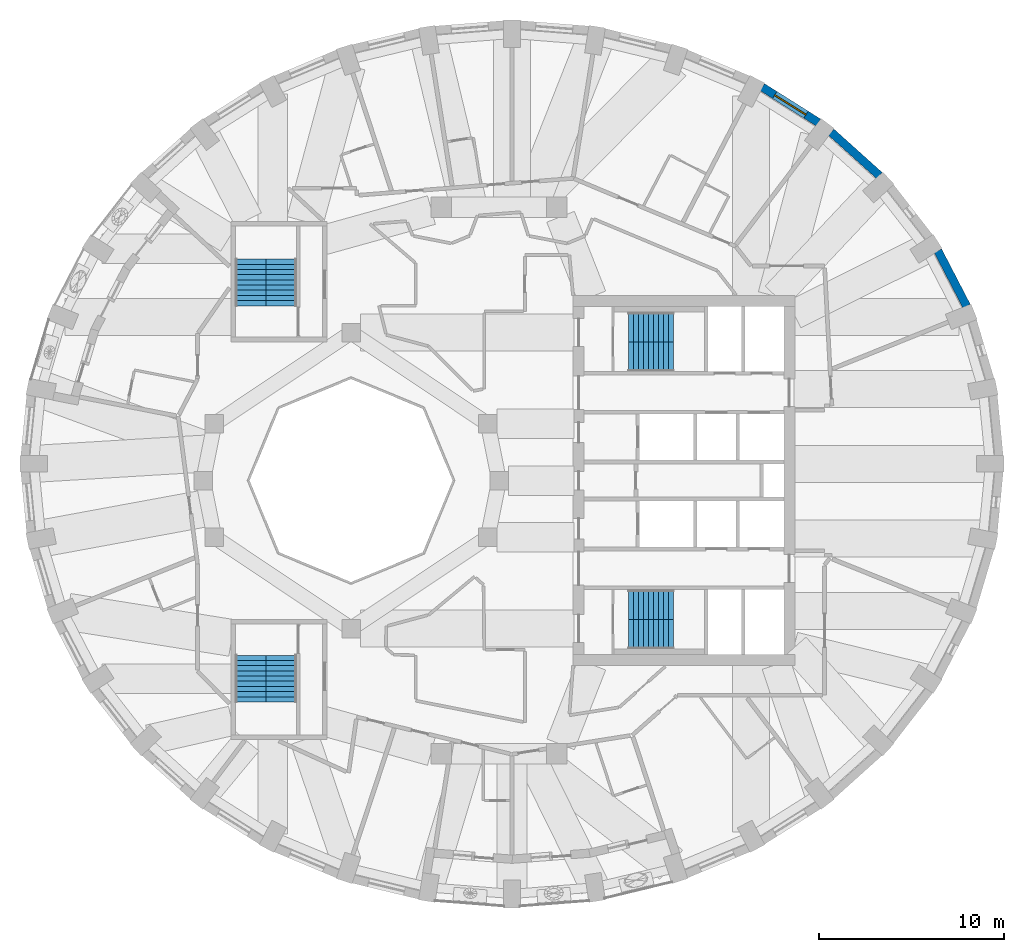
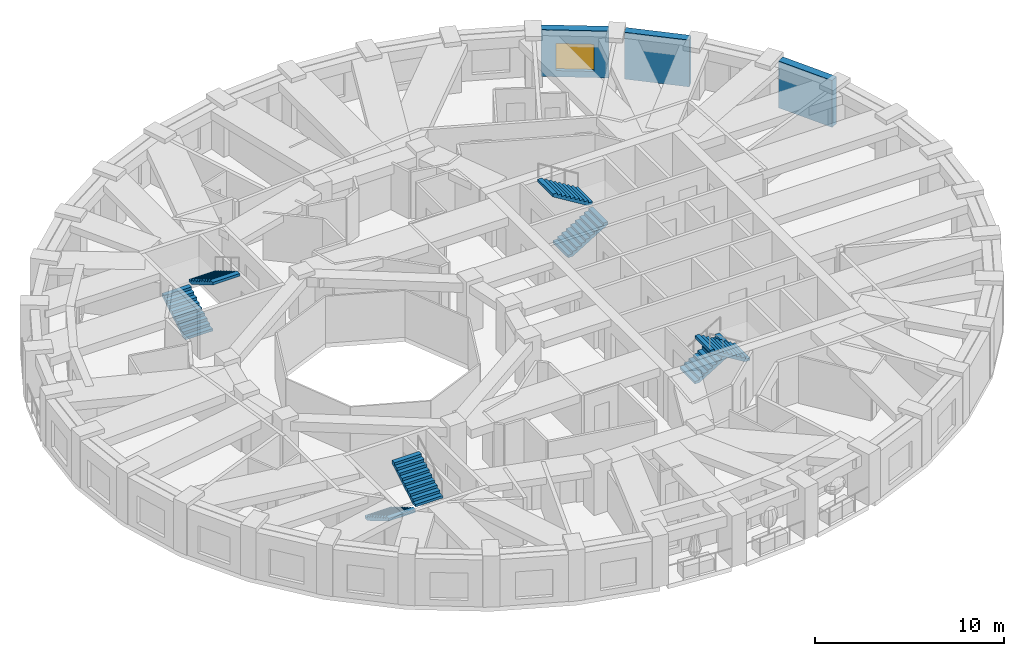
# One storey, part 9 of 12: 8 stair flights, 3 walls, 1 window, 1 opening, 4 elements without a shape of their own.
"""IFC4 building model written with IfcOpenShell, lengths in metres."""

from ifc_helpers import new_model, si_unit, direction, frame, frame_2d, origin, place, context, subcontext, project, spatial, polyline, rectangle, outline, extrude, material, layer, layer_set, type_object, element, fill, aggregate, save


model = new_model("IFC4")

# Units and contexts
model_context = context("Model", 3, precision=1e-05, world=origin(), true_north=direction((0.0, 1.0)))
body_context = subcontext(model_context, "Body", "Model", "MODEL_VIEW")
ifc_project = project(units=[si_unit("LENGTHUNIT", "METRE"), si_unit("AREAUNIT", "SQUARE_METRE"), si_unit("VOLUMEUNIT", "CUBIC_METRE"), si_unit("PLANEANGLEUNIT", "RADIAN"), si_unit("MASSUNIT", "GRAM", prefix="KILO")], contexts=[model_context])

# Site, building, storey
site_placement = place(None, origin())
site = spatial("IfcSite", under=ifc_project, at=site_placement, CompositionType="ELEMENT")
building_placement = place(site_placement, origin())
building = spatial("IfcBuilding", under=site, at=building_placement, Name="Taillehof Tower", CompositionType="ELEMENT")
storey_placement = place(building_placement, frame((0.0, 0.0, 199.10009765625)))
storey = spatial("IfcBuildingStorey", under=building, at=storey_placement, Name="L56", CompositionType="ELEMENT", Elevation=199.10009765625)

# Walls
ifc_material_1 = material(Name="Brick masonry", Category="masonry")
ifc_layer = layer(ifc_material_1, 0.449951171875)
ifc_layer_set = layer_set([ifc_layer], Name="Brick infill wall 450")
wall_type = type_object("IfcWallType", Name="Brick infill wall 450", PredefinedType="SOLIDWALL", material=ifc_layer_set)
wall_1_placement = place(storey_placement, frame((25.278076171875, 9.431640625, 0.0), z_axis=(0.0, 0.0, 1.0), x_axis=(-0.460175500475, 0.887827972505, 0.0)))
element("IfcWall", 1, at=wall_1_placement, inside=storey, type_object=wall_type, Name="Brick wall L56 bay 3", PredefinedType="SOLIDWALL", context=body_context, shape_type="SweptSolid", body=[
    extrude(rectangle(XDim=3.37060546875, YDim=0.449951171875, at=frame_2d((1.685302734375, 0.0))), origin(), (0.0, 0.0, 1.0), 3.02001953125),
])
wall_2_placement = place(storey_placement, frame((20.56494140625, 16.490478515625, 0.0), z_axis=(0.0, 0.0, 1.0), x_axis=(-0.743442727602, 0.668799604348, 0.0)))
element("IfcWall", 2, at=wall_2_placement, inside=storey, type_object=wall_type, Name="Brick wall L56 bay 5", PredefinedType="SOLIDWALL", context=body_context, shape_type="SweptSolid", body=[
    extrude(rectangle(XDim=3.5126953125, YDim=0.449951171875, at=frame_2d((1.75634765625, 0.0))), origin(), (0.0, 0.0, 1.0), 3.02001953125),
])

# Wall, opening, window
wall_3_placement = place(storey_placement, frame((17.26708984375, 19.3583984375, 0.0), z_axis=(0.0, 0.0, 1.0), x_axis=(-0.846119146727, 0.532993798783, 0.0)))
wall_3 = element("IfcWall", 3, at=wall_3_placement, inside=storey, type_object=wall_type, Name="Brick wall L56 bay 6", PredefinedType="SOLIDWALL", context=body_context, shape_type="SweptSolid", body=[
    extrude(rectangle(XDim=3.586669921875, YDim=0.449951171875, at=frame_2d((1.79345703125, 0.0))), origin(), (0.0, 0.0, 1.0), 3.02001953125),
])
opening_placement = place(wall_3_placement, frame((0.79345703125, 0.0, 0.39990234375)))
opening = element("IfcOpeningElement", 4, at=opening_placement, cuts=wall_3, Name="Opening W2", PredefinedType="OPENING", context=body_context, shape_type="SweptSolid", body=[
    extrude(rectangle(XDim=2.0, YDim=1.75, at=frame_2d((1.0, 0.875))), frame((0.0, 0.23486328125, 0.0), z_axis=(0.0, -1.0, 0.0), x_axis=(1.0, 0.0, 0.0)), (0.0, 0.0, 1.0), 0.469970703125),
])
ifc_material_2 = material(Name="Aluminium window frame with clear double glazing", Category="aluminium")
window_type = type_object("IfcWindowType", Name="Deep-set window 2000x1750", PartitioningType="SINGLE_PANEL", PredefinedType="WINDOW", material=ifc_material_2)
window_placement = place(opening_placement, origin())
window = element("IfcWindow", 5, at=window_placement, inside=storey, type_object=window_type, Name="W2", OverallHeight=1.75, OverallWidth=2.0, PartitioningType="SINGLE_PANEL", PredefinedType="WINDOW", context=body_context, shape_type="SweptSolid", body=[
    extrude(rectangle(XDim=2.0, YDim=1.75, at=frame_2d((1.0, 0.875))), frame((0.0, 0.034912109375, 0.0), z_axis=(0.0, -1.0, 0.0), x_axis=(1.0, 0.0, 0.0)), (0.0, 0.0, 1.0), 0.06005859375),
])
fill(opening, window)

# Stair, stair flights
ifc_material_3 = material(Name="Concrete C40/50", Category="concrete")
stair_type = type_object("IfcStairType", Name="Exit stair half-turn", PredefinedType="HALF_TURN_STAIR", material=ifc_material_3)
stair_1_placement = place(storey_placement, origin())
stair_1 = element("IfcStair", 6, at=stair_1_placement, inside=storey, type_object=stair_type, Name="Exit stair S1", PredefinedType="HALF_TURN_STAIR")
ifc_material_4 = material(Name="Concrete C40/50", Category="concrete")
stair_flight_type_1 = type_object("IfcStairFlightType", Name="Stair flight 1600 riser 165.0 going 270", PredefinedType="STRAIGHT", material=ifc_material_4)
stair_flight_1_placement = place(storey_placement, frame((7.0, 6.699951171875, 0.0), z_axis=(0.0, 0.0, 1.0), x_axis=(1.0, 0.0, 0.0)))
stair_flight_1 = element("IfcStairFlight", 7, at=stair_flight_1_placement, type_object=stair_flight_type_1, Name="S1 flight 1", NumberOfRisers=10, NumberOfTreads=9, PredefinedType="STRAIGHT", RiserHeight=0.165, TreadLength=0.27, context=body_context, shape_type="SweptSolid", body=[
    extrude(outline(polyline([(0.0, 0.0), (0.0, 0.00537109375), (0.0, 0.0107421875), (0.0, 0.015869140625), (0.0, 0.021240234375), (0.0, 0.026611328125), (0.0, 0.031982421875), (0.0, 0.037353515625), (0.0, 0.04248046875), (0.0, 0.0478515625), (0.0, 0.05322265625), (0.0, 0.05859375), (0.0, 0.06396484375), (0.0, 0.069091796875), (0.0, 0.074462890625), (0.0, 0.079833984375), (0.0, 0.085205078125), (0.0, 0.090576171875), (0.0, 0.095703125), (0.0, 0.10107421875), (0.0, 0.1064453125), (0.0, 0.11181640625), (0.0, 0.1171875), (0.0, 0.122314453125), (0.0, 0.127685546875), (0.0, 0.133056640625), (0.0, 0.138427734375), (0.0, 0.143798828125), (0.0, 0.14892578125), (0.0, 0.154296875), (0.0, 0.15966796875), (0.0, 0.1650390625), (0.27001953125, 0.1650390625), (0.27001953125, 0.330078125), (0.5400390625, 0.330078125), (0.5400390625, 0.4951171875), (0.81005859375, 0.4951171875), (0.81005859375, 0.659912109375), (1.080078125, 0.659912109375), (1.080078125, 0.824951171875), (1.35009765625, 0.824951171875), (1.35009765625, 0.989990234375), (1.6201171875, 0.989990234375), (1.6201171875, 1.155029296875), (1.889892578125, 1.155029296875), (1.889892578125, 1.320068359375), (2.159912109375, 1.320068359375), (2.159912109375, 1.485107421875), (2.429931640625, 1.485107421875), (2.429931640625, 1.479248046875), (2.429931640625, 1.4736328125), (2.429931640625, 1.468017578125), (2.429931640625, 1.46240234375), (2.429931640625, 1.45654296875), (2.429931640625, 1.450927734375), (2.429931640625, 1.4453125), (2.429931640625, 1.439697265625), (2.429931640625, 1.43408203125), (2.429931640625, 1.42822265625), (2.429931640625, 1.422607421875), (2.429931640625, 1.4169921875), (2.429931640625, 1.411376953125), (2.429931640625, 1.40576171875), (2.429931640625, 1.39990234375), (2.429931640625, 1.394287109375), (2.429931640625, 1.388671875), (2.429931640625, 1.383056640625), (2.429931640625, 1.37744140625), (2.429931640625, 1.37158203125), (2.429931640625, 1.365966796875), (2.429931640625, 1.3603515625), (2.429931640625, 1.354736328125), (2.429931640625, 1.348876953125), (2.429931640625, 1.34326171875), (2.429931640625, 1.337646484375), (2.429931640625, 1.33203125), (2.429931640625, 1.326416015625), (2.429931640625, 1.320556640625), (2.429931640625, 1.31494140625), (2.429931640625, 1.309326171875), (0.287353515625, 0.0), (0.0, 0.0)])), frame((0.0, 0.800048828125, 0.0), z_axis=(0.0, -1.0, 0.0), x_axis=(1.0, 0.0, 0.0)), (0.0, 0.0, 1.0), 1.6),
])
stair_flight_2_placement = place(storey_placement, frame((9.429931640625, 8.300048828125, 1.64990234375), z_axis=(0.0, 0.0, 1.0), x_axis=(-1.0, 0.0, 0.0)))
stair_flight_2 = element("IfcStairFlight", 8, at=stair_flight_2_placement, type_object=stair_flight_type_1, Name="S1 flight 2", NumberOfRisers=10, NumberOfTreads=9, PredefinedType="STRAIGHT", RiserHeight=0.165, TreadLength=0.27, context=body_context, shape_type="SweptSolid", body=[
    extrude(outline(polyline([(0.0, 0.0), (0.0, 0.00537109375), (0.0, 0.0107421875), (0.0, 0.015869140625), (0.0, 0.021240234375), (0.0, 0.026611328125), (0.0, 0.031982421875), (0.0, 0.037353515625), (0.0, 0.04248046875), (0.0, 0.0478515625), (0.0, 0.05322265625), (0.0, 0.05859375), (0.0, 0.06396484375), (0.0, 0.069091796875), (0.0, 0.074462890625), (0.0, 0.079833984375), (0.0, 0.085205078125), (0.0, 0.090576171875), (0.0, 0.095703125), (0.0, 0.10107421875), (0.0, 0.1064453125), (0.0, 0.11181640625), (0.0, 0.1171875), (0.0, 0.122314453125), (0.0, 0.127685546875), (0.0, 0.133056640625), (0.0, 0.138427734375), (0.0, 0.143798828125), (0.0, 0.14892578125), (0.0, 0.154296875), (0.0, 0.15966796875), (0.0, 0.1650390625), (0.27001953125, 0.1650390625), (0.27001953125, 0.330078125), (0.5400390625, 0.330078125), (0.5400390625, 0.4951171875), (0.81005859375, 0.4951171875), (0.81005859375, 0.659912109375), (1.080078125, 0.659912109375), (1.080078125, 0.824951171875), (1.35009765625, 0.824951171875), (1.35009765625, 0.989990234375), (1.6201171875, 0.989990234375), (1.6201171875, 1.155029296875), (1.889892578125, 1.155029296875), (1.889892578125, 1.320068359375), (2.159912109375, 1.320068359375), (2.159912109375, 1.485107421875), (2.429931640625, 1.485107421875), (2.429931640625, 1.479248046875), (2.429931640625, 1.4736328125), (2.429931640625, 1.468017578125), (2.429931640625, 1.46240234375), (2.429931640625, 1.45654296875), (2.429931640625, 1.450927734375), (2.429931640625, 1.4453125), (2.429931640625, 1.439697265625), (2.429931640625, 1.43408203125), (2.429931640625, 1.42822265625), (2.429931640625, 1.422607421875), (2.429931640625, 1.4169921875), (2.429931640625, 1.411376953125), (2.429931640625, 1.40576171875), (2.429931640625, 1.39990234375), (2.429931640625, 1.394287109375), (2.429931640625, 1.388671875), (2.429931640625, 1.383056640625), (2.429931640625, 1.37744140625), (2.429931640625, 1.37158203125), (2.429931640625, 1.365966796875), (2.429931640625, 1.3603515625), (2.429931640625, 1.354736328125), (2.429931640625, 1.348876953125), (2.429931640625, 1.34326171875), (2.429931640625, 1.337646484375), (2.429931640625, 1.33203125), (2.429931640625, 1.326416015625), (2.429931640625, 1.320556640625), (2.429931640625, 1.31494140625), (2.429931640625, 1.309326171875), (0.287353515625, 0.0), (0.0, 0.0)])), frame((0.0, 0.800048828125, 0.0), z_axis=(0.0, -1.0, 0.0), x_axis=(1.0, 0.0, 0.0)), (0.0, 0.0, 1.0), 1.6),
])
aggregate(stair_1, [stair_flight_1, stair_flight_2])

stair_2_placement = place(storey_placement, origin())
stair_2 = element("IfcStair", 9, at=stair_2_placement, inside=storey, type_object=stair_type, Name="Exit stair S2", PredefinedType="HALF_TURN_STAIR")
stair_flight_3_placement = place(storey_placement, frame((7.0, -6.699951171875, 0.0), z_axis=(0.0, 0.0, 1.0), x_axis=(1.0, 0.0, 0.0)))
stair_flight_3 = element("IfcStairFlight", 10, at=stair_flight_3_placement, type_object=stair_flight_type_1, Name="S2 flight 1", NumberOfRisers=10, NumberOfTreads=9, PredefinedType="STRAIGHT", RiserHeight=0.165, TreadLength=0.27, context=body_context, shape_type="SweptSolid", body=[
    extrude(outline(polyline([(0.0, 0.0), (0.0, 0.00537109375), (0.0, 0.0107421875), (0.0, 0.015869140625), (0.0, 0.021240234375), (0.0, 0.026611328125), (0.0, 0.031982421875), (0.0, 0.037353515625), (0.0, 0.04248046875), (0.0, 0.0478515625), (0.0, 0.05322265625), (0.0, 0.05859375), (0.0, 0.06396484375), (0.0, 0.069091796875), (0.0, 0.074462890625), (0.0, 0.079833984375), (0.0, 0.085205078125), (0.0, 0.090576171875), (0.0, 0.095703125), (0.0, 0.10107421875), (0.0, 0.1064453125), (0.0, 0.11181640625), (0.0, 0.1171875), (0.0, 0.122314453125), (0.0, 0.127685546875), (0.0, 0.133056640625), (0.0, 0.138427734375), (0.0, 0.143798828125), (0.0, 0.14892578125), (0.0, 0.154296875), (0.0, 0.15966796875), (0.0, 0.1650390625), (0.27001953125, 0.1650390625), (0.27001953125, 0.330078125), (0.5400390625, 0.330078125), (0.5400390625, 0.4951171875), (0.81005859375, 0.4951171875), (0.81005859375, 0.659912109375), (1.080078125, 0.659912109375), (1.080078125, 0.824951171875), (1.35009765625, 0.824951171875), (1.35009765625, 0.989990234375), (1.6201171875, 0.989990234375), (1.6201171875, 1.155029296875), (1.889892578125, 1.155029296875), (1.889892578125, 1.320068359375), (2.159912109375, 1.320068359375), (2.159912109375, 1.485107421875), (2.429931640625, 1.485107421875), (2.429931640625, 1.479248046875), (2.429931640625, 1.4736328125), (2.429931640625, 1.468017578125), (2.429931640625, 1.46240234375), (2.429931640625, 1.45654296875), (2.429931640625, 1.450927734375), (2.429931640625, 1.4453125), (2.429931640625, 1.439697265625), (2.429931640625, 1.43408203125), (2.429931640625, 1.42822265625), (2.429931640625, 1.422607421875), (2.429931640625, 1.4169921875), (2.429931640625, 1.411376953125), (2.429931640625, 1.40576171875), (2.429931640625, 1.39990234375), (2.429931640625, 1.394287109375), (2.429931640625, 1.388671875), (2.429931640625, 1.383056640625), (2.429931640625, 1.37744140625), (2.429931640625, 1.37158203125), (2.429931640625, 1.365966796875), (2.429931640625, 1.3603515625), (2.429931640625, 1.354736328125), (2.429931640625, 1.348876953125), (2.429931640625, 1.34326171875), (2.429931640625, 1.337646484375), (2.429931640625, 1.33203125), (2.429931640625, 1.326416015625), (2.429931640625, 1.320556640625), (2.429931640625, 1.31494140625), (2.429931640625, 1.309326171875), (0.287353515625, 0.0), (0.0, 0.0)])), frame((0.0, 0.800048828125, 0.0), z_axis=(0.0, -1.0, 0.0), x_axis=(1.0, 0.0, 0.0)), (0.0, 0.0, 1.0), 1.6),
])
stair_flight_4_placement = place(storey_placement, frame((9.429931640625, -8.300048828125, 1.64990234375), z_axis=(0.0, 0.0, 1.0), x_axis=(-1.0, 0.0, 0.0)))
stair_flight_4 = element("IfcStairFlight", 11, at=stair_flight_4_placement, type_object=stair_flight_type_1, Name="S2 flight 2", NumberOfRisers=10, NumberOfTreads=9, PredefinedType="STRAIGHT", RiserHeight=0.165, TreadLength=0.27, context=body_context, shape_type="SweptSolid", body=[
    extrude(outline(polyline([(0.0, 0.0), (0.0, 0.00537109375), (0.0, 0.0107421875), (0.0, 0.015869140625), (0.0, 0.021240234375), (0.0, 0.026611328125), (0.0, 0.031982421875), (0.0, 0.037353515625), (0.0, 0.04248046875), (0.0, 0.0478515625), (0.0, 0.05322265625), (0.0, 0.05859375), (0.0, 0.06396484375), (0.0, 0.069091796875), (0.0, 0.074462890625), (0.0, 0.079833984375), (0.0, 0.085205078125), (0.0, 0.090576171875), (0.0, 0.095703125), (0.0, 0.10107421875), (0.0, 0.1064453125), (0.0, 0.11181640625), (0.0, 0.1171875), (0.0, 0.122314453125), (0.0, 0.127685546875), (0.0, 0.133056640625), (0.0, 0.138427734375), (0.0, 0.143798828125), (0.0, 0.14892578125), (0.0, 0.154296875), (0.0, 0.15966796875), (0.0, 0.1650390625), (0.27001953125, 0.1650390625), (0.27001953125, 0.330078125), (0.5400390625, 0.330078125), (0.5400390625, 0.4951171875), (0.81005859375, 0.4951171875), (0.81005859375, 0.659912109375), (1.080078125, 0.659912109375), (1.080078125, 0.824951171875), (1.35009765625, 0.824951171875), (1.35009765625, 0.989990234375), (1.6201171875, 0.989990234375), (1.6201171875, 1.155029296875), (1.889892578125, 1.155029296875), (1.889892578125, 1.320068359375), (2.159912109375, 1.320068359375), (2.159912109375, 1.485107421875), (2.429931640625, 1.485107421875), (2.429931640625, 1.479248046875), (2.429931640625, 1.4736328125), (2.429931640625, 1.468017578125), (2.429931640625, 1.46240234375), (2.429931640625, 1.45654296875), (2.429931640625, 1.450927734375), (2.429931640625, 1.4453125), (2.429931640625, 1.439697265625), (2.429931640625, 1.43408203125), (2.429931640625, 1.42822265625), (2.429931640625, 1.422607421875), (2.429931640625, 1.4169921875), (2.429931640625, 1.411376953125), (2.429931640625, 1.40576171875), (2.429931640625, 1.39990234375), (2.429931640625, 1.394287109375), (2.429931640625, 1.388671875), (2.429931640625, 1.383056640625), (2.429931640625, 1.37744140625), (2.429931640625, 1.37158203125), (2.429931640625, 1.365966796875), (2.429931640625, 1.3603515625), (2.429931640625, 1.354736328125), (2.429931640625, 1.348876953125), (2.429931640625, 1.34326171875), (2.429931640625, 1.337646484375), (2.429931640625, 1.33203125), (2.429931640625, 1.326416015625), (2.429931640625, 1.320556640625), (2.429931640625, 1.31494140625), (2.429931640625, 1.309326171875), (0.287353515625, 0.0), (0.0, 0.0)])), frame((0.0, 0.800048828125, 0.0), z_axis=(0.0, -1.0, 0.0), x_axis=(1.0, 0.0, 0.0)), (0.0, 0.0, 1.0), 1.6),
])
aggregate(stair_2, [stair_flight_3, stair_flight_4])

stair_3_placement = place(storey_placement, origin())
stair_3 = element("IfcStair", 12, at=stair_3_placement, inside=storey, type_object=stair_type, Name="Exit stair S3", PredefinedType="HALF_TURN_STAIR")
ifc_material_5 = material(Name="Concrete C40/50", Category="concrete")
stair_flight_type_2 = type_object("IfcStairFlightType", Name="Stair flight 1650 riser 165.0 going 280", PredefinedType="STRAIGHT", material=ifc_material_5)
stair_flight_5_placement = place(storey_placement, frame((-13.425048828125, 9.449951171875, 0.0), z_axis=(0.0, 0.0, 1.0), x_axis=(0.0, 1.0, 0.0)))
stair_flight_5 = element("IfcStairFlight", 13, at=stair_flight_5_placement, type_object=stair_flight_type_2, Name="S3 flight 1", NumberOfRisers=10, NumberOfTreads=9, PredefinedType="STRAIGHT", RiserHeight=0.165, TreadLength=0.28, context=body_context, shape_type="SweptSolid", body=[
    extrude(outline(polyline([(0.0, 0.0), (0.0, 0.00537109375), (0.0, 0.0107421875), (0.0, 0.015869140625), (0.0, 0.021240234375), (0.0, 0.026611328125), (0.0, 0.031982421875), (0.0, 0.037353515625), (0.0, 0.04248046875), (0.0, 0.0478515625), (0.0, 0.05322265625), (0.0, 0.05859375), (0.0, 0.06396484375), (0.0, 0.069091796875), (0.0, 0.074462890625), (0.0, 0.079833984375), (0.0, 0.085205078125), (0.0, 0.090576171875), (0.0, 0.095703125), (0.0, 0.10107421875), (0.0, 0.1064453125), (0.0, 0.11181640625), (0.0, 0.1171875), (0.0, 0.122314453125), (0.0, 0.127685546875), (0.0, 0.133056640625), (0.0, 0.138427734375), (0.0, 0.143798828125), (0.0, 0.14892578125), (0.0, 0.154296875), (0.0, 0.15966796875), (0.0, 0.1650390625), (0.280029296875, 0.1650390625), (0.280029296875, 0.330078125), (0.56005859375, 0.330078125), (0.56005859375, 0.4951171875), (0.840087890625, 0.4951171875), (0.840087890625, 0.659912109375), (1.1201171875, 0.659912109375), (1.1201171875, 0.824951171875), (1.39990234375, 0.824951171875), (1.39990234375, 0.989990234375), (1.679931640625, 0.989990234375), (1.679931640625, 1.155029296875), (1.9599609375, 1.155029296875), (1.9599609375, 1.320068359375), (2.239990234375, 1.320068359375), (2.239990234375, 1.485107421875), (2.52001953125, 1.485107421875), (2.52001953125, 1.4794921875), (2.52001953125, 1.473876953125), (2.52001953125, 1.46826171875), (2.52001953125, 1.462646484375), (2.52001953125, 1.45703125), (2.52001953125, 1.451416015625), (2.52001953125, 1.44580078125), (2.52001953125, 1.440185546875), (2.52001953125, 1.4345703125), (2.52001953125, 1.428955078125), (2.52001953125, 1.42333984375), (2.52001953125, 1.417724609375), (2.52001953125, 1.412109375), (2.52001953125, 1.406494140625), (2.52001953125, 1.40087890625), (2.52001953125, 1.395263671875), (2.52001953125, 1.3896484375), (2.52001953125, 1.384033203125), (2.52001953125, 1.37841796875), (2.52001953125, 1.372802734375), (2.52001953125, 1.3671875), (2.52001953125, 1.361572265625), (2.52001953125, 1.35595703125), (2.52001953125, 1.350341796875), (2.52001953125, 1.3447265625), (2.52001953125, 1.339111328125), (2.52001953125, 1.33349609375), (2.52001953125, 1.327880859375), (2.52001953125, 1.322265625), (2.52001953125, 1.316650390625), (2.52001953125, 1.31103515625), (0.295166015625, 0.0), (0.0, 0.0)])), frame((0.0, 0.824951171875, 0.0), z_axis=(0.0, -1.0, 0.0), x_axis=(1.0, 0.0, 0.0)), (0.0, 0.0, 1.0), 1.65),
])
stair_flight_6_placement = place(storey_placement, frame((-11.77490234375, 11.969970703125, 1.64990234375), z_axis=(0.0, 0.0, 1.0), x_axis=(0.0, -1.0, 0.0)))
stair_flight_6 = element("IfcStairFlight", 14, at=stair_flight_6_placement, type_object=stair_flight_type_2, Name="S3 flight 2", NumberOfRisers=10, NumberOfTreads=9, PredefinedType="STRAIGHT", RiserHeight=0.165, TreadLength=0.28, context=body_context, shape_type="SweptSolid", body=[
    extrude(outline(polyline([(0.0, 0.0), (0.0, 0.00537109375), (0.0, 0.0107421875), (0.0, 0.015869140625), (0.0, 0.021240234375), (0.0, 0.026611328125), (0.0, 0.031982421875), (0.0, 0.037353515625), (0.0, 0.04248046875), (0.0, 0.0478515625), (0.0, 0.05322265625), (0.0, 0.05859375), (0.0, 0.06396484375), (0.0, 0.069091796875), (0.0, 0.074462890625), (0.0, 0.079833984375), (0.0, 0.085205078125), (0.0, 0.090576171875), (0.0, 0.095703125), (0.0, 0.10107421875), (0.0, 0.1064453125), (0.0, 0.11181640625), (0.0, 0.1171875), (0.0, 0.122314453125), (0.0, 0.127685546875), (0.0, 0.133056640625), (0.0, 0.138427734375), (0.0, 0.143798828125), (0.0, 0.14892578125), (0.0, 0.154296875), (0.0, 0.15966796875), (0.0, 0.1650390625), (0.280029296875, 0.1650390625), (0.280029296875, 0.330078125), (0.56005859375, 0.330078125), (0.56005859375, 0.4951171875), (0.840087890625, 0.4951171875), (0.840087890625, 0.659912109375), (1.1201171875, 0.659912109375), (1.1201171875, 0.824951171875), (1.39990234375, 0.824951171875), (1.39990234375, 0.989990234375), (1.679931640625, 0.989990234375), (1.679931640625, 1.155029296875), (1.9599609375, 1.155029296875), (1.9599609375, 1.320068359375), (2.239990234375, 1.320068359375), (2.239990234375, 1.485107421875), (2.52001953125, 1.485107421875), (2.52001953125, 1.4794921875), (2.52001953125, 1.473876953125), (2.52001953125, 1.46826171875), (2.52001953125, 1.462646484375), (2.52001953125, 1.45703125), (2.52001953125, 1.451416015625), (2.52001953125, 1.44580078125), (2.52001953125, 1.440185546875), (2.52001953125, 1.4345703125), (2.52001953125, 1.428955078125), (2.52001953125, 1.42333984375), (2.52001953125, 1.417724609375), (2.52001953125, 1.412109375), (2.52001953125, 1.406494140625), (2.52001953125, 1.40087890625), (2.52001953125, 1.395263671875), (2.52001953125, 1.3896484375), (2.52001953125, 1.384033203125), (2.52001953125, 1.37841796875), (2.52001953125, 1.372802734375), (2.52001953125, 1.3671875), (2.52001953125, 1.361572265625), (2.52001953125, 1.35595703125), (2.52001953125, 1.350341796875), (2.52001953125, 1.3447265625), (2.52001953125, 1.339111328125), (2.52001953125, 1.33349609375), (2.52001953125, 1.327880859375), (2.52001953125, 1.322265625), (2.52001953125, 1.316650390625), (2.52001953125, 1.31103515625), (0.295166015625, 0.0), (0.0, 0.0)])), frame((0.0, 0.824951171875, 0.0), z_axis=(0.0, -1.0, 0.0), x_axis=(1.0, 0.0, 0.0)), (0.0, 0.0, 1.0), 1.65),
])
aggregate(stair_3, [stair_flight_5, stair_flight_6])

stair_4_placement = place(storey_placement, origin())
stair_4 = element("IfcStair", 15, at=stair_4_placement, inside=storey, type_object=stair_type, Name="Exit stair S4", PredefinedType="HALF_TURN_STAIR")
stair_flight_7_placement = place(storey_placement, frame((-13.425048828125, -9.449951171875, 0.0), z_axis=(0.0, 0.0, 1.0), x_axis=(0.0, -1.0, 0.0)))
stair_flight_7 = element("IfcStairFlight", 16, at=stair_flight_7_placement, type_object=stair_flight_type_2, Name="S4 flight 1", NumberOfRisers=10, NumberOfTreads=9, PredefinedType="STRAIGHT", RiserHeight=0.165, TreadLength=0.28, context=body_context, shape_type="SweptSolid", body=[
    extrude(outline(polyline([(0.0, 0.0), (0.0, 0.00537109375), (0.0, 0.0107421875), (0.0, 0.015869140625), (0.0, 0.021240234375), (0.0, 0.026611328125), (0.0, 0.031982421875), (0.0, 0.037353515625), (0.0, 0.04248046875), (0.0, 0.0478515625), (0.0, 0.05322265625), (0.0, 0.05859375), (0.0, 0.06396484375), (0.0, 0.069091796875), (0.0, 0.074462890625), (0.0, 0.079833984375), (0.0, 0.085205078125), (0.0, 0.090576171875), (0.0, 0.095703125), (0.0, 0.10107421875), (0.0, 0.1064453125), (0.0, 0.11181640625), (0.0, 0.1171875), (0.0, 0.122314453125), (0.0, 0.127685546875), (0.0, 0.133056640625), (0.0, 0.138427734375), (0.0, 0.143798828125), (0.0, 0.14892578125), (0.0, 0.154296875), (0.0, 0.15966796875), (0.0, 0.1650390625), (0.280029296875, 0.1650390625), (0.280029296875, 0.330078125), (0.56005859375, 0.330078125), (0.56005859375, 0.4951171875), (0.840087890625, 0.4951171875), (0.840087890625, 0.659912109375), (1.1201171875, 0.659912109375), (1.1201171875, 0.824951171875), (1.39990234375, 0.824951171875), (1.39990234375, 0.989990234375), (1.679931640625, 0.989990234375), (1.679931640625, 1.155029296875), (1.9599609375, 1.155029296875), (1.9599609375, 1.320068359375), (2.239990234375, 1.320068359375), (2.239990234375, 1.485107421875), (2.52001953125, 1.485107421875), (2.52001953125, 1.4794921875), (2.52001953125, 1.473876953125), (2.52001953125, 1.46826171875), (2.52001953125, 1.462646484375), (2.52001953125, 1.45703125), (2.52001953125, 1.451416015625), (2.52001953125, 1.44580078125), (2.52001953125, 1.440185546875), (2.52001953125, 1.4345703125), (2.52001953125, 1.428955078125), (2.52001953125, 1.42333984375), (2.52001953125, 1.417724609375), (2.52001953125, 1.412109375), (2.52001953125, 1.406494140625), (2.52001953125, 1.40087890625), (2.52001953125, 1.395263671875), (2.52001953125, 1.3896484375), (2.52001953125, 1.384033203125), (2.52001953125, 1.37841796875), (2.52001953125, 1.372802734375), (2.52001953125, 1.3671875), (2.52001953125, 1.361572265625), (2.52001953125, 1.35595703125), (2.52001953125, 1.350341796875), (2.52001953125, 1.3447265625), (2.52001953125, 1.339111328125), (2.52001953125, 1.33349609375), (2.52001953125, 1.327880859375), (2.52001953125, 1.322265625), (2.52001953125, 1.316650390625), (2.52001953125, 1.31103515625), (0.295166015625, 0.0), (0.0, 0.0)])), frame((0.0, 0.824951171875, 0.0), z_axis=(0.0, -1.0, 0.0), x_axis=(1.0, 0.0, 0.0)), (0.0, 0.0, 1.0), 1.65),
])
stair_flight_8_placement = place(storey_placement, frame((-11.77490234375, -11.969970703125, 1.64990234375), z_axis=(0.0, 0.0, 1.0), x_axis=(0.0, 1.0, 0.0)))
stair_flight_8 = element("IfcStairFlight", 17, at=stair_flight_8_placement, type_object=stair_flight_type_2, Name="S4 flight 2", NumberOfRisers=10, NumberOfTreads=9, PredefinedType="STRAIGHT", RiserHeight=0.165, TreadLength=0.28, context=body_context, shape_type="SweptSolid", body=[
    extrude(outline(polyline([(0.0, 0.0), (0.0, 0.00537109375), (0.0, 0.0107421875), (0.0, 0.015869140625), (0.0, 0.021240234375), (0.0, 0.026611328125), (0.0, 0.031982421875), (0.0, 0.037353515625), (0.0, 0.04248046875), (0.0, 0.0478515625), (0.0, 0.05322265625), (0.0, 0.05859375), (0.0, 0.06396484375), (0.0, 0.069091796875), (0.0, 0.074462890625), (0.0, 0.079833984375), (0.0, 0.085205078125), (0.0, 0.090576171875), (0.0, 0.095703125), (0.0, 0.10107421875), (0.0, 0.1064453125), (0.0, 0.11181640625), (0.0, 0.1171875), (0.0, 0.122314453125), (0.0, 0.127685546875), (0.0, 0.133056640625), (0.0, 0.138427734375), (0.0, 0.143798828125), (0.0, 0.14892578125), (0.0, 0.154296875), (0.0, 0.15966796875), (0.0, 0.1650390625), (0.280029296875, 0.1650390625), (0.280029296875, 0.330078125), (0.56005859375, 0.330078125), (0.56005859375, 0.4951171875), (0.840087890625, 0.4951171875), (0.840087890625, 0.659912109375), (1.1201171875, 0.659912109375), (1.1201171875, 0.824951171875), (1.39990234375, 0.824951171875), (1.39990234375, 0.989990234375), (1.679931640625, 0.989990234375), (1.679931640625, 1.155029296875), (1.9599609375, 1.155029296875), (1.9599609375, 1.320068359375), (2.239990234375, 1.320068359375), (2.239990234375, 1.485107421875), (2.52001953125, 1.485107421875), (2.52001953125, 1.4794921875), (2.52001953125, 1.473876953125), (2.52001953125, 1.46826171875), (2.52001953125, 1.462646484375), (2.52001953125, 1.45703125), (2.52001953125, 1.451416015625), (2.52001953125, 1.44580078125), (2.52001953125, 1.440185546875), (2.52001953125, 1.4345703125), (2.52001953125, 1.428955078125), (2.52001953125, 1.42333984375), (2.52001953125, 1.417724609375), (2.52001953125, 1.412109375), (2.52001953125, 1.406494140625), (2.52001953125, 1.40087890625), (2.52001953125, 1.395263671875), (2.52001953125, 1.3896484375), (2.52001953125, 1.384033203125), (2.52001953125, 1.37841796875), (2.52001953125, 1.372802734375), (2.52001953125, 1.3671875), (2.52001953125, 1.361572265625), (2.52001953125, 1.35595703125), (2.52001953125, 1.350341796875), (2.52001953125, 1.3447265625), (2.52001953125, 1.339111328125), (2.52001953125, 1.33349609375), (2.52001953125, 1.327880859375), (2.52001953125, 1.322265625), (2.52001953125, 1.316650390625), (2.52001953125, 1.31103515625), (0.295166015625, 0.0), (0.0, 0.0)])), frame((0.0, 0.824951171875, 0.0), z_axis=(0.0, -1.0, 0.0), x_axis=(1.0, 0.0, 0.0)), (0.0, 0.0, 1.0), 1.65),
])
aggregate(stair_4, [stair_flight_7, stair_flight_8])

save(model, "model.ifc")
